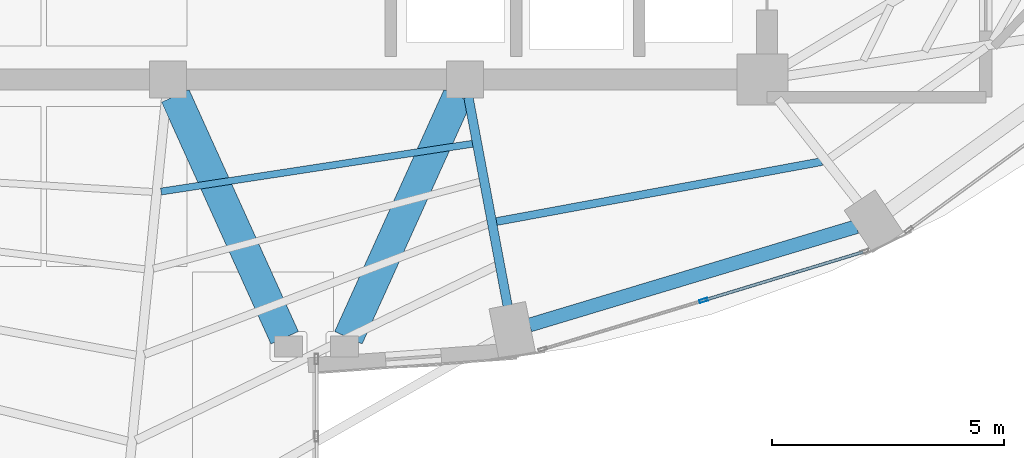
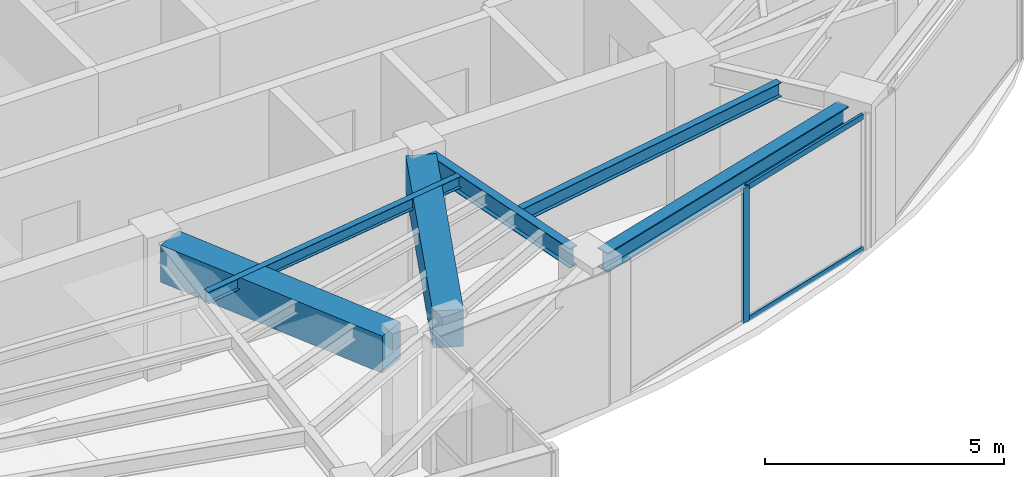
# One storey, part 7 of 22: 6 beams, 3 members, 1 element without a shape of its own.
"""IFC4 building model written with IfcOpenShell, lengths in metres."""

from ifc_helpers import new_model, si_unit, direction, frame, origin, origin_2d, place, context, subcontext, project, spatial, rectangle, hollow_rectangle, i_section, extrude, material, layer, layer_set, material_profile, profile_set, type_object, element, aggregate, save


model = new_model("IFC4")

# Units and contexts
model_context = context("Model", 3, precision=1e-05, world=origin(), true_north=direction((0.0, 1.0)))
body_context = subcontext(model_context, "Body", "Model", "MODEL_VIEW")
ifc_project = project(units=[si_unit("LENGTHUNIT", "METRE"), si_unit("AREAUNIT", "SQUARE_METRE"), si_unit("VOLUMEUNIT", "CUBIC_METRE"), si_unit("PLANEANGLEUNIT", "RADIAN"), si_unit("MASSUNIT", "GRAM", prefix="KILO")], contexts=[model_context])

# Site, building, storey
site_placement = place(None, origin())
site = spatial("IfcSite", under=ifc_project, at=site_placement, CompositionType="ELEMENT")
building_placement = place(site_placement, origin())
building = spatial("IfcBuilding", under=site, at=building_placement, Name="Lazwardi Medical Tower", CompositionType="ELEMENT")
storey_placement = place(building_placement, frame((0.0, 0.0, 255.02392578125)))
storey = spatial("IfcBuildingStorey", under=building, at=storey_placement, Name="L66", CompositionType="ELEMENT", Elevation=255.02392578125)

# Beams
ifc_material_1 = material(Name="Concrete C60/75", Category="concrete")
ifc_material_profile_1 = material_profile(ifc_material_1, rectangle(XDim=0.64990234375, YDim=0.949951171875, at=origin_2d()), Name="RC 650x950")
ifc_profile_set_1 = profile_set([ifc_material_profile_1], Name="Concrete C60/75")
beam_type_1 = type_object("IfcBeamType", Name="BM-CB-RC2", PredefinedType="LINTEL", material=ifc_profile_set_1)
for number, where, z_axis, x_axis, name in (
    (1, (32.95849609375, 20.04931640625, 2.97314453125), (0.412019279944, -0.911175127489, 0.0), (0.911175127489, 0.412019279944, 0.0), "Core coupling lintel CB-02 PL3 L66"),
    (2, (39.04150390625, 20.04931640625, 2.97314453125), (-0.412019279944, -0.911175127489, 0.0), (0.911175127489, -0.412019279944, 0.0), "Core coupling lintel CB-02 PL4 L66"),
):
    element("IfcBeam", number, at=place(storey_placement, frame(where, z_axis=z_axis, x_axis=x_axis)), inside=storey, type_object=beam_type_1, Name=name, PredefinedType="LINTEL", context=body_context, shape_type="SweptSolid", body=[
        extrude(rectangle(XDim=0.64990234375, YDim=0.949951171875, at=origin_2d()), origin(), (0.0, 0.0, 1.0), 5.7158203125),
    ])
ifc_material_2 = material(Name="Steel S355", Category="steel")
ifc_material_profile_2 = material_profile(ifc_material_2, i_section(OverallWidth=0.300048828125, OverallDepth=0.5, WebThickness=0.014404296875, FlangeThickness=0.028076171875, at=origin_2d()), Name="HEB 500")
ifc_profile_set_2 = profile_set([ifc_material_profile_2], Name="Steel S355")
beam_type_2 = type_object("IfcBeamType", Name="BM-RB-Z4", PredefinedType="BEAM", material=ifc_profile_set_2)
beam_1_placement = place(storey_placement, frame((40.58740234375, 15.114013671875, 3.197998046875), z_axis=(0.957544311906, 0.288286126506, 0.0), x_axis=(-0.288286126506, 0.957544311906, 0.0)))
element("IfcBeam", 3, at=beam_1_placement, inside=storey, type_object=beam_type_2, Name="Ring beam RB-05 B01 L66", PredefinedType="BEAM", context=body_context, shape_type="SweptSolid", body=[
    extrude(i_section(OverallWidth=0.300048828125, OverallDepth=0.5, WebThickness=0.014404296875, FlangeThickness=0.028076171875, at=origin_2d()), origin(), (0.0, 0.0, 1.0), 7.3515625),
])
ifc_material_profile_3 = material_profile(ifc_material_2, i_section(OverallWidth=0.199951171875, OverallDepth=0.5, WebThickness=0.01025390625, FlangeThickness=0.01611328125, at=origin_2d()), Name="IPE 500")
ifc_profile_set_3 = profile_set([ifc_material_profile_3], Name="Steel S355")
beam_type_3 = type_object("IfcBeamType", Name="BM-RG-W3", PredefinedType="BEAM", material=ifc_profile_set_3)
beam_2_placement = place(storey_placement, frame((40.115234375, 15.527587890625, 3.197998046875), z_axis=(-0.184633463507, 0.982807450192, 0.0), x_axis=(-0.982807450192, -0.184633463507, 0.0)))
element("IfcBeam", 4, at=beam_2_placement, inside=storey, type_object=beam_type_3, Name="Radial girder RG-04 R01 L66", PredefinedType="BEAM", context=body_context, shape_type="SweptSolid", body=[
    extrude(i_section(OverallWidth=0.199951171875, OverallDepth=0.5, WebThickness=0.01025390625, FlangeThickness=0.01611328125, at=origin_2d()), origin(), (0.0, 0.0, 1.0), 4.572509765625),
])
ifc_material_profile_4 = material_profile(ifc_material_2, i_section(OverallWidth=0.169921875, OverallDepth=0.360107421875, WebThickness=0.008056640625, FlangeThickness=0.0126953125, at=origin_2d()), Name="IPE 360")
ifc_profile_set_4 = profile_set([ifc_material_profile_4], Name="Steel S355")
beam_type_4 = type_object("IfcBeamType", Name="BM-SJ-02", PredefinedType="JOIST", material=ifc_profile_set_4)
beam_3_placement = place(storey_placement, frame((39.87109375, 17.34228515625, 3.26806640625), z_axis=(0.983427965623, 0.181299300688, 0.0), x_axis=(-0.181299300688, 0.983427965623, 0.0)))
element("IfcBeam", 5, at=beam_3_placement, inside=storey, type_object=beam_type_4, Name="Secondary joist SJ-02 R2 B01 L66", PredefinedType="JOIST", context=body_context, shape_type="SweptSolid", body=[
    extrude(i_section(OverallWidth=0.169921875, OverallDepth=0.360107421875, WebThickness=0.008056640625, FlangeThickness=0.0126953125, at=origin_2d()), origin(), (0.0, 0.0, 1.0), 7.127685546875),
])
ifc_material_profile_5 = material_profile(ifc_material_2, i_section(OverallWidth=0.14990234375, OverallDepth=0.300048828125, WebThickness=0.007080078125, FlangeThickness=0.0107421875, at=origin_2d()), Name="IPE 300")
ifc_profile_set_5 = profile_set([ifc_material_profile_5], Name="Steel S355")
beam_type_5 = type_object("IfcBeamType", Name="BM-SJ-03", PredefinedType="JOIST", material=ifc_profile_set_5)
beam_4_placement = place(storey_placement, frame((32.652587890625, 17.989013671875, 3.298095703125), z_axis=(0.988433562862, 0.151654514629, 0.0), x_axis=(-0.151654514629, 0.988433562862, 0.0)))
element("IfcBeam", 6, at=beam_4_placement, inside=storey, type_object=beam_type_5, Name="Secondary joist SJ-03 R4 B16 L66", PredefinedType="JOIST", context=body_context, shape_type="SweptSolid", body=[
    extrude(i_section(OverallWidth=0.14990234375, OverallDepth=0.300048828125, WebThickness=0.007080078125, FlangeThickness=0.0107421875, at=origin_2d()), origin(), (0.0, 0.0, 1.0), 6.788818359375),
])

# Curtain wall, members
ifc_material_3 = material(Name="Anodised bronze aluminium and solar control glazing", Category="aluminium")
ifc_layer = layer(ifc_material_3, 0.18994140625)
ifc_layer_set = layer_set([ifc_layer], Name="Anodised bronze aluminium and solar control glazing")
curtain_wall_type = type_object("IfcCurtainWallType", Name="CW-SYS-04", PredefinedType="NOTDEFINED", material=ifc_layer_set)
curtain_wall_placement = place(storey_placement, origin())
curtain_wall = element("IfcCurtainWall", 7, at=curtain_wall_placement, inside=storey, type_object=curtain_wall_type, Name="L66 Unitised bronze curtain wall CW-04", PredefinedType="NOTDEFINED")
ifc_material_4 = material(Name="Anodised bronze aluminium", Category="aluminium")
ifc_material_profile_6 = material_profile(ifc_material_4, hollow_rectangle(XDim=0.06494140625, YDim=0.179931640625, WallThickness=0.00390625, at=origin_2d()), Name="ALU-MULLION 180x65x4")
ifc_profile_set_6 = profile_set([ifc_material_profile_6], Name="Anodised bronze aluminium")
member_type_1 = type_object("IfcMemberType", Name="CW-MUL-03", PredefinedType="MULLION", material=ifc_profile_set_6)
member_1_placement = place(storey_placement, frame((44.33642578125, 15.644775390625, 0.0), z_axis=(0.0, 0.0, 1.0), x_axis=(-0.290581889515, 0.956850126972, 0.0)))
member_1 = element("IfcMember", 8, at=member_1_placement, type_object=member_type_1, Name="CW-04 mullion 2", PredefinedType="MULLION", context=body_context, shape_type="SweptSolid", body=[
    extrude(hollow_rectangle(XDim=0.06494140625, YDim=0.179931640625, WallThickness=0.00390625, at=origin_2d()), origin(), (0.0, 0.0, 1.0), 3.447998046875),
])
ifc_material_profile_7 = material_profile(ifc_material_4, hollow_rectangle(XDim=0.06494140625, YDim=0.139892578125, WallThickness=0.00341796875, at=origin_2d()), Name="ALU-TRANSOM 140x65x3.5")
ifc_profile_set_7 = profile_set([ifc_material_profile_7], Name="Anodised bronze aluminium")
member_type_2 = type_object("IfcMemberType", Name="CW-TRN-03", PredefinedType="USERDEFINED", material=ifc_profile_set_7)
member_2_placement = place(storey_placement, frame((44.367431640625, 15.654052734375, 0.032470703125), z_axis=(0.956843409009, 0.290604010015, 0.0), x_axis=(-0.290604010015, 0.956843409009, 0.0)))
member_2 = element("IfcMember", 9, at=member_2_placement, type_object=member_type_2, Name="CW-04 transom 2.1", ObjectType="TRANSOM", PredefinedType="USERDEFINED", context=body_context, shape_type="SweptSolid", body=[
    extrude(hollow_rectangle(XDim=0.06494140625, YDim=0.139892578125, WallThickness=0.00341796875, at=origin_2d()), origin(), (0.0, 0.0, 1.0), 3.554443359375),
])
member_3_placement = place(storey_placement, frame((44.367431640625, 15.654052734375, 3.41552734375), z_axis=(0.956843409009, 0.290604010015, 0.0), x_axis=(-0.290604010015, 0.956843409009, 0.0)))
member_3 = element("IfcMember", 10, at=member_3_placement, type_object=member_type_2, Name="CW-04 transom 2.2", ObjectType="TRANSOM", PredefinedType="USERDEFINED", context=body_context, shape_type="SweptSolid", body=[
    extrude(hollow_rectangle(XDim=0.06494140625, YDim=0.139892578125, WallThickness=0.00341796875, at=origin_2d()), origin(), (0.0, 0.0, 1.0), 3.554443359375),
])
aggregate(curtain_wall, [member_1, member_2, member_3])

save(model, "model.ifc")
